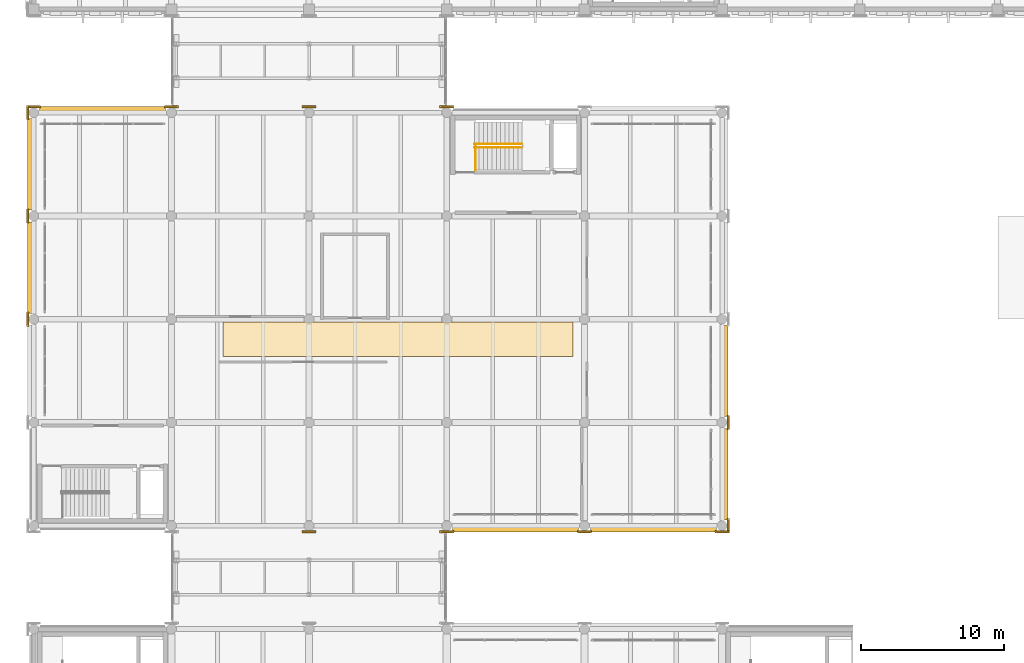
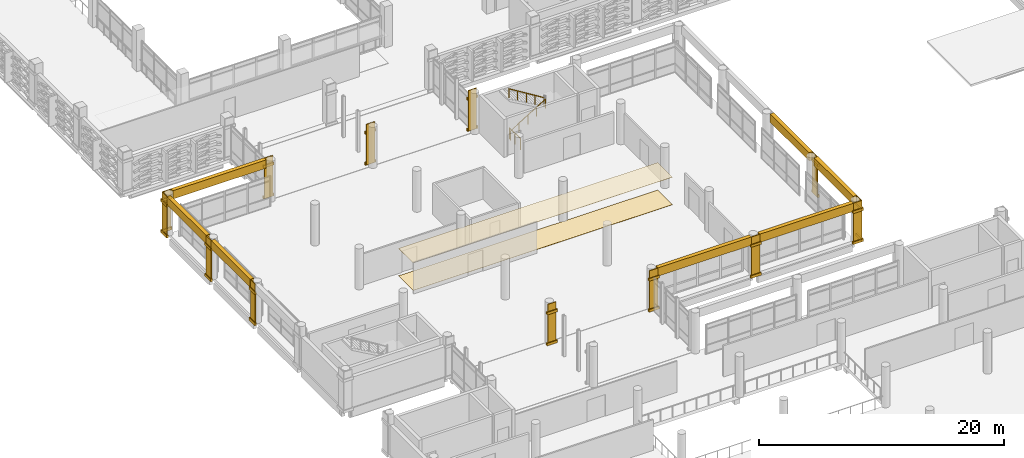
# One storey, part 163 of 180: 48 coverings, 3 railings.
"""IFC4 building model written with IfcOpenShell, lengths in metres."""

from ifc_helpers import new_model, si_unit, direction, frame, origin, origin_2d, place, context, subcontext, project, spatial, polyline, rectangle, circle, outline, extrude, material, layer, layer_set, type_object, element, save


model = new_model("IFC4")

# Units and contexts
model_context = context("Model", 3, precision=1e-05, world=origin(), true_north=direction((0.0, 1.0)))
body_context = subcontext(model_context, "Body", "Model", "MODEL_VIEW")
ifc_project = project(units=[si_unit("LENGTHUNIT", "METRE"), si_unit("AREAUNIT", "SQUARE_METRE"), si_unit("VOLUMEUNIT", "CUBIC_METRE"), si_unit("PLANEANGLEUNIT", "RADIAN"), si_unit("MASSUNIT", "GRAM", prefix="KILO")], contexts=[model_context])

# Site, building, storey
site_placement = place(None, origin())
site = spatial("IfcSite", under=ifc_project, at=site_placement, CompositionType="ELEMENT")
building_placement = place(site_placement, origin())
building = spatial("IfcBuilding", under=site, at=building_placement, Name="Asteropetra Specialist Clinic", CompositionType="ELEMENT")
storey_placement = place(building_placement, frame((0.0, 0.0, 4.419921875)))
storey = spatial("IfcBuildingStorey", under=building, at=storey_placement, Name="L01", CompositionType="ELEMENT", Elevation=4.419921875)

# Coverings
ifc_material_1 = material(Name="Hygienic acoustic ceiling tile")
ifc_layer_1 = layer(ifc_material_1, 0.02490234375)
ifc_layer_set_1 = layer_set([ifc_layer_1], Name="Hygienic acoustic ceiling tile")
covering_type_1 = type_object("IfcCoveringType", Name="CLG-ACOUSTIC", PredefinedType="CEILING", material=ifc_layer_set_1)
covering_1_placement = place(storey_placement, frame((0.0, 0.0, 2.72998046875)))
element("IfcCovering", 1, at=covering_1_placement, inside=storey, type_object=covering_type_1, Name="Acoustic Ceiling CLG-L01-V5", PredefinedType="CEILING", context=body_context, shape_type="SweptSolid", body=[
    extrude(outline(polyline([(13.199951171875, 45.39990234375), (37.60009765625, 45.39990234375), (37.60009765625, 47.800048828125), (13.199951171875, 47.800048828125), (13.199951171875, 45.39990234375)])), origin(), (0.0, 0.0, 1.0), 0.025146484375),
])
ifc_material_2 = material(Name="Pentelic marble ashlar", Category="masonry")
ifc_layer_2 = layer(ifc_material_2, 0.159912109375)
ifc_layer_set_2 = layer_set([ifc_layer_2], Name="Pentelic marble ashlar")
covering_type_2 = type_object("IfcCoveringType", Name="CRN-ENTAB-600", PredefinedType="MOLDING", material=ifc_layer_set_2)
for number, where, z_axis, x_axis, name in (
    (2, (4.800048828125, 62.639892578125, 3.25), (0.0, 0.0, 1.0), (1.0, 0.0, 0.0), "Stoa Classical Entablature SE-0035"),
    (3, (33.60009765625, 33.360107421875, 3.25), (0.0, 0.0, 1.0), (1.0, 0.0, 0.0), "Stoa Classical Entablature SE-0036"),
    (4, (43.199951171875, 33.360107421875, 3.25), (0.0, 0.0, 1.0), (1.0, 0.0, 0.0), "Stoa Classical Entablature SE-0037"),
):
    element("IfcCovering", number, at=place(storey_placement, frame(where, z_axis=z_axis, x_axis=x_axis)), inside=storey, type_object=covering_type_2, Name=name, PredefinedType="MOLDING", context=body_context, shape_type="SweptSolid", body=[
        extrude(rectangle(XDim=8.780029296875, YDim=0.360107421875, at=origin_2d()), origin(), (0.0, 0.0, 1.0), 0.820068359375),
    ])
for number, where, z_axis, x_axis, name in (
    (5, (48.239990234375, 37.199951171875, 3.25), (0.0, 0.0, 1.0), (1.0, 0.0, 0.0), "Stoa Classical Entablature SE-0039"),
    (6, (48.239990234375, 44.39990234375, 3.25), (0.0, 0.0, 1.0), (1.0, 0.0, 0.0), "Stoa Classical Entablature SE-0041"),
    (7, (-0.239990234375, 51.60009765625, 3.25), (0.0, 0.0, 1.0), (1.0, 0.0, 0.0), "Stoa Classical Entablature SE-0042"),
    (8, (-0.239990234375, 58.800048828125, 3.25), (0.0, 0.0, 1.0), (1.0, 0.0, 0.0), "Stoa Classical Entablature SE-0044"),
):
    element("IfcCovering", number, at=place(storey_placement, frame(where, z_axis=z_axis, x_axis=x_axis)), inside=storey, type_object=covering_type_2, Name=name, PredefinedType="MOLDING", context=body_context, shape_type="SweptSolid", body=[
        extrude(rectangle(XDim=0.360107421875, YDim=6.3798828125, at=origin_2d()), origin(), (0.0, 0.0, 1.0), 0.820068359375),
    ])
covering_2_placement = place(storey_placement, frame((-0.382080078125, 48.0, 0.02001953125), z_axis=(0.0, 0.0, 1.0), x_axis=(1.0, 0.0, 0.0)))
element("IfcCovering", 9, at=covering_2_placement, inside=storey, type_object=covering_type_2, Name="Neoclassical Pilaster Facing CM-0820", PredefinedType="MOLDING", context=body_context, shape_type="SweptSolid", body=[
    extrude(rectangle(XDim=0.080078125, YDim=0.780029296875, at=origin_2d()), origin(), (0.0, 0.0, 1.0), 4.0400390625),
])
for number, where, z_axis, x_axis, name in (
    (10, (-0.422119140625, 48.0, 0.01025390625), (0.0, 0.0, 1.0), (1.0, 0.0, 0.0), "Doric Base CC-0821"),
    (11, (-0.422119140625, 48.0, 3.08984375), (0.0, 0.0, 1.0), (1.0, 0.0, 0.0), "Doric Capital CC-0822"),
):
    element("IfcCovering", number, at=place(storey_placement, frame(where, z_axis=z_axis, x_axis=x_axis)), inside=storey, type_object=covering_type_2, Name=name, PredefinedType="MOLDING", context=body_context, shape_type="SweptSolid", body=[
        extrude(rectangle(XDim=0.159912109375, YDim=0.97998046875, at=origin_2d()), origin(), (0.0, 0.0, 1.0), 0.260009765625),
    ])
covering_3_placement = place(storey_placement, frame((-0.382080078125, 55.199951171875, 0.02001953125), z_axis=(0.0, 0.0, 1.0), x_axis=(1.0, 0.0, 0.0)))
element("IfcCovering", 12, at=covering_3_placement, inside=storey, type_object=covering_type_2, Name="Neoclassical Pilaster Facing CM-0823", PredefinedType="MOLDING", context=body_context, shape_type="SweptSolid", body=[
    extrude(rectangle(XDim=0.080078125, YDim=0.780029296875, at=origin_2d()), origin(), (0.0, 0.0, 1.0), 4.0400390625),
])
for number, where, z_axis, x_axis, name in (
    (13, (-0.422119140625, 55.199951171875, 0.01025390625), (0.0, 0.0, 1.0), (1.0, 0.0, 0.0), "Doric Base CC-0824"),
    (14, (-0.422119140625, 55.199951171875, 3.08984375), (0.0, 0.0, 1.0), (1.0, 0.0, 0.0), "Doric Capital CC-0825"),
):
    element("IfcCovering", number, at=place(storey_placement, frame(where, z_axis=z_axis, x_axis=x_axis)), inside=storey, type_object=covering_type_2, Name=name, PredefinedType="MOLDING", context=body_context, shape_type="SweptSolid", body=[
        extrude(rectangle(XDim=0.159912109375, YDim=0.97998046875, at=origin_2d()), origin(), (0.0, 0.0, 1.0), 0.260009765625),
    ])
covering_4_placement = place(storey_placement, frame((0.0, 62.781982421875, 0.02001953125), z_axis=(0.0, 0.0, 1.0), x_axis=(1.0, 0.0, 0.0)))
element("IfcCovering", 15, at=covering_4_placement, inside=storey, type_object=covering_type_2, Name="Neoclassical Pilaster Facing CM-0826", PredefinedType="MOLDING", context=body_context, shape_type="SweptSolid", body=[
    extrude(rectangle(XDim=0.780029296875, YDim=0.080078125, at=origin_2d()), origin(), (0.0, 0.0, 1.0), 4.0400390625),
])
for number, where, z_axis, x_axis, name in (
    (16, (0.0, 62.822021484375, 0.01025390625), (0.0, 0.0, 1.0), (1.0, 0.0, 0.0), "Doric Base CC-0827"),
    (17, (0.0, 62.822021484375, 3.08984375), (0.0, 0.0, 1.0), (1.0, 0.0, 0.0), "Doric Capital CC-0828"),
):
    element("IfcCovering", number, at=place(storey_placement, frame(where, z_axis=z_axis, x_axis=x_axis)), inside=storey, type_object=covering_type_2, Name=name, PredefinedType="MOLDING", context=body_context, shape_type="SweptSolid", body=[
        extrude(rectangle(XDim=0.97998046875, YDim=0.159912109375, at=origin_2d()), origin(), (0.0, 0.0, 1.0), 0.260009765625),
    ])
covering_5_placement = place(storey_placement, frame((-0.382080078125, 62.39990234375, 0.02001953125), z_axis=(0.0, 0.0, 1.0), x_axis=(1.0, 0.0, 0.0)))
element("IfcCovering", 18, at=covering_5_placement, inside=storey, type_object=covering_type_2, Name="Neoclassical Pilaster Facing CM-0829", PredefinedType="MOLDING", context=body_context, shape_type="SweptSolid", body=[
    extrude(rectangle(XDim=0.080078125, YDim=0.780029296875, at=origin_2d()), origin(), (0.0, 0.0, 1.0), 4.0400390625),
])
for number, where, z_axis, x_axis, name in (
    (19, (-0.422119140625, 62.39990234375, 0.01025390625), (0.0, 0.0, 1.0), (1.0, 0.0, 0.0), "Doric Base CC-0830"),
    (20, (-0.422119140625, 62.39990234375, 3.08984375), (0.0, 0.0, 1.0), (1.0, 0.0, 0.0), "Doric Capital CC-0831"),
):
    element("IfcCovering", number, at=place(storey_placement, frame(where, z_axis=z_axis, x_axis=x_axis)), inside=storey, type_object=covering_type_2, Name=name, PredefinedType="MOLDING", context=body_context, shape_type="SweptSolid", body=[
        extrude(rectangle(XDim=0.159912109375, YDim=0.97998046875, at=origin_2d()), origin(), (0.0, 0.0, 1.0), 0.260009765625),
    ])
covering_6_placement = place(storey_placement, frame((9.60009765625, 62.781982421875, 0.02001953125), z_axis=(0.0, 0.0, 1.0), x_axis=(1.0, 0.0, 0.0)))
element("IfcCovering", 21, at=covering_6_placement, inside=storey, type_object=covering_type_2, Name="Neoclassical Pilaster Facing CM-0835", PredefinedType="MOLDING", context=body_context, shape_type="SweptSolid", body=[
    extrude(rectangle(XDim=0.780029296875, YDim=0.080078125, at=origin_2d()), origin(), (0.0, 0.0, 1.0), 4.0400390625),
])
for number, where, z_axis, x_axis, name in (
    (22, (9.60009765625, 62.822021484375, 0.01025390625), (0.0, 0.0, 1.0), (1.0, 0.0, 0.0), "Doric Base CC-0836"),
    (23, (9.60009765625, 62.822021484375, 3.08984375), (0.0, 0.0, 1.0), (1.0, 0.0, 0.0), "Doric Capital CC-0837"),
):
    element("IfcCovering", number, at=place(storey_placement, frame(where, z_axis=z_axis, x_axis=x_axis)), inside=storey, type_object=covering_type_2, Name=name, PredefinedType="MOLDING", context=body_context, shape_type="SweptSolid", body=[
        extrude(rectangle(XDim=0.97998046875, YDim=0.159912109375, at=origin_2d()), origin(), (0.0, 0.0, 1.0), 0.260009765625),
    ])
covering_7_placement = place(storey_placement, frame((19.199951171875, 33.218017578125, 0.02001953125), z_axis=(0.0, 0.0, 1.0), x_axis=(1.0, 0.0, 0.0)))
element("IfcCovering", 24, at=covering_7_placement, inside=storey, type_object=covering_type_2, Name="Neoclassical Pilaster Facing CM-0838", PredefinedType="MOLDING", context=body_context, shape_type="SweptSolid", body=[
    extrude(rectangle(XDim=0.780029296875, YDim=0.080078125, at=origin_2d()), origin(), (0.0, 0.0, 1.0), 4.0400390625),
])
for number, where, z_axis, x_axis, name in (
    (25, (19.199951171875, 33.177978515625, 0.01025390625), (0.0, 0.0, 1.0), (1.0, 0.0, 0.0), "Doric Base CC-0839"),
    (26, (19.199951171875, 33.177978515625, 3.08984375), (0.0, 0.0, 1.0), (1.0, 0.0, 0.0), "Doric Capital CC-0840"),
):
    element("IfcCovering", number, at=place(storey_placement, frame(where, z_axis=z_axis, x_axis=x_axis)), inside=storey, type_object=covering_type_2, Name=name, PredefinedType="MOLDING", context=body_context, shape_type="SweptSolid", body=[
        extrude(rectangle(XDim=0.97998046875, YDim=0.159912109375, at=origin_2d()), origin(), (0.0, 0.0, 1.0), 0.260009765625),
    ])
covering_8_placement = place(storey_placement, frame((19.199951171875, 62.781982421875, 0.02001953125), z_axis=(0.0, 0.0, 1.0), x_axis=(1.0, 0.0, 0.0)))
element("IfcCovering", 27, at=covering_8_placement, inside=storey, type_object=covering_type_2, Name="Neoclassical Pilaster Facing CM-0841", PredefinedType="MOLDING", context=body_context, shape_type="SweptSolid", body=[
    extrude(rectangle(XDim=0.780029296875, YDim=0.080078125, at=origin_2d()), origin(), (0.0, 0.0, 1.0), 4.0400390625),
])
for number, where, z_axis, x_axis, name in (
    (28, (19.199951171875, 62.822021484375, 0.01025390625), (0.0, 0.0, 1.0), (1.0, 0.0, 0.0), "Doric Base CC-0842"),
    (29, (19.199951171875, 62.822021484375, 3.08984375), (0.0, 0.0, 1.0), (1.0, 0.0, 0.0), "Doric Capital CC-0843"),
):
    element("IfcCovering", number, at=place(storey_placement, frame(where, z_axis=z_axis, x_axis=x_axis)), inside=storey, type_object=covering_type_2, Name=name, PredefinedType="MOLDING", context=body_context, shape_type="SweptSolid", body=[
        extrude(rectangle(XDim=0.97998046875, YDim=0.159912109375, at=origin_2d()), origin(), (0.0, 0.0, 1.0), 0.260009765625),
    ])
covering_9_placement = place(storey_placement, frame((28.800048828125, 33.218017578125, 0.02001953125), z_axis=(0.0, 0.0, 1.0), x_axis=(1.0, 0.0, 0.0)))
element("IfcCovering", 30, at=covering_9_placement, inside=storey, type_object=covering_type_2, Name="Neoclassical Pilaster Facing CM-0844", PredefinedType="MOLDING", context=body_context, shape_type="SweptSolid", body=[
    extrude(rectangle(XDim=0.780029296875, YDim=0.080078125, at=origin_2d()), origin(), (0.0, 0.0, 1.0), 4.0400390625),
])
for number, where, z_axis, x_axis, name in (
    (31, (28.800048828125, 33.177978515625, 0.01025390625), (0.0, 0.0, 1.0), (1.0, 0.0, 0.0), "Doric Base CC-0845"),
    (32, (28.800048828125, 33.177978515625, 3.08984375), (0.0, 0.0, 1.0), (1.0, 0.0, 0.0), "Doric Capital CC-0846"),
):
    element("IfcCovering", number, at=place(storey_placement, frame(where, z_axis=z_axis, x_axis=x_axis)), inside=storey, type_object=covering_type_2, Name=name, PredefinedType="MOLDING", context=body_context, shape_type="SweptSolid", body=[
        extrude(rectangle(XDim=0.97998046875, YDim=0.159912109375, at=origin_2d()), origin(), (0.0, 0.0, 1.0), 0.260009765625),
    ])
covering_10_placement = place(storey_placement, frame((28.800048828125, 62.781982421875, 0.02001953125), z_axis=(0.0, 0.0, 1.0), x_axis=(1.0, 0.0, 0.0)))
element("IfcCovering", 33, at=covering_10_placement, inside=storey, type_object=covering_type_2, Name="Neoclassical Pilaster Facing CM-0847", PredefinedType="MOLDING", context=body_context, shape_type="SweptSolid", body=[
    extrude(rectangle(XDim=0.780029296875, YDim=0.080078125, at=origin_2d()), origin(), (0.0, 0.0, 1.0), 4.0400390625),
])
for number, where, z_axis, x_axis, name in (
    (34, (28.800048828125, 62.822021484375, 0.01025390625), (0.0, 0.0, 1.0), (1.0, 0.0, 0.0), "Doric Base CC-0848"),
    (35, (28.800048828125, 62.822021484375, 3.08984375), (0.0, 0.0, 1.0), (1.0, 0.0, 0.0), "Doric Capital CC-0849"),
):
    element("IfcCovering", number, at=place(storey_placement, frame(where, z_axis=z_axis, x_axis=x_axis)), inside=storey, type_object=covering_type_2, Name=name, PredefinedType="MOLDING", context=body_context, shape_type="SweptSolid", body=[
        extrude(rectangle(XDim=0.97998046875, YDim=0.159912109375, at=origin_2d()), origin(), (0.0, 0.0, 1.0), 0.260009765625),
    ])
covering_11_placement = place(storey_placement, frame((38.39990234375, 33.218017578125, 0.02001953125), z_axis=(0.0, 0.0, 1.0), x_axis=(1.0, 0.0, 0.0)))
element("IfcCovering", 36, at=covering_11_placement, inside=storey, type_object=covering_type_2, Name="Neoclassical Pilaster Facing CM-0850", PredefinedType="MOLDING", context=body_context, shape_type="SweptSolid", body=[
    extrude(rectangle(XDim=0.780029296875, YDim=0.080078125, at=origin_2d()), origin(), (0.0, 0.0, 1.0), 4.0400390625),
])
for number, where, z_axis, x_axis, name in (
    (37, (38.39990234375, 33.177978515625, 0.01025390625), (0.0, 0.0, 1.0), (1.0, 0.0, 0.0), "Doric Base CC-0851"),
    (38, (38.39990234375, 33.177978515625, 3.08984375), (0.0, 0.0, 1.0), (1.0, 0.0, 0.0), "Doric Capital CC-0852"),
):
    element("IfcCovering", number, at=place(storey_placement, frame(where, z_axis=z_axis, x_axis=x_axis)), inside=storey, type_object=covering_type_2, Name=name, PredefinedType="MOLDING", context=body_context, shape_type="SweptSolid", body=[
        extrude(rectangle(XDim=0.97998046875, YDim=0.159912109375, at=origin_2d()), origin(), (0.0, 0.0, 1.0), 0.260009765625),
    ])
covering_12_placement = place(storey_placement, frame((48.0, 33.218017578125, 0.02001953125), z_axis=(0.0, 0.0, 1.0), x_axis=(1.0, 0.0, 0.0)))
element("IfcCovering", 39, at=covering_12_placement, inside=storey, type_object=covering_type_2, Name="Neoclassical Pilaster Facing CM-0856", PredefinedType="MOLDING", context=body_context, shape_type="SweptSolid", body=[
    extrude(rectangle(XDim=0.780029296875, YDim=0.080078125, at=origin_2d()), origin(), (0.0, 0.0, 1.0), 4.0400390625),
])
for number, where, z_axis, x_axis, name in (
    (40, (48.0, 33.177978515625, 0.01025390625), (0.0, 0.0, 1.0), (1.0, 0.0, 0.0), "Doric Base CC-0857"),
    (41, (48.0, 33.177978515625, 3.08984375), (0.0, 0.0, 1.0), (1.0, 0.0, 0.0), "Doric Capital CC-0858"),
):
    element("IfcCovering", number, at=place(storey_placement, frame(where, z_axis=z_axis, x_axis=x_axis)), inside=storey, type_object=covering_type_2, Name=name, PredefinedType="MOLDING", context=body_context, shape_type="SweptSolid", body=[
        extrude(rectangle(XDim=0.97998046875, YDim=0.159912109375, at=origin_2d()), origin(), (0.0, 0.0, 1.0), 0.260009765625),
    ])
covering_13_placement = place(storey_placement, frame((48.382080078125, 33.60009765625, 0.02001953125), z_axis=(0.0, 0.0, 1.0), x_axis=(1.0, 0.0, 0.0)))
element("IfcCovering", 42, at=covering_13_placement, inside=storey, type_object=covering_type_2, Name="Neoclassical Pilaster Facing CM-0859", PredefinedType="MOLDING", context=body_context, shape_type="SweptSolid", body=[
    extrude(rectangle(XDim=0.080078125, YDim=0.780029296875, at=origin_2d()), origin(), (0.0, 0.0, 1.0), 4.0400390625),
])
for number, where, z_axis, x_axis, name in (
    (43, (48.422119140625, 33.60009765625, 0.01025390625), (0.0, 0.0, 1.0), (1.0, 0.0, 0.0), "Doric Base CC-0860"),
    (44, (48.422119140625, 33.60009765625, 3.08984375), (0.0, 0.0, 1.0), (1.0, 0.0, 0.0), "Doric Capital CC-0861"),
):
    element("IfcCovering", number, at=place(storey_placement, frame(where, z_axis=z_axis, x_axis=x_axis)), inside=storey, type_object=covering_type_2, Name=name, PredefinedType="MOLDING", context=body_context, shape_type="SweptSolid", body=[
        extrude(rectangle(XDim=0.159912109375, YDim=0.97998046875, at=origin_2d()), origin(), (0.0, 0.0, 1.0), 0.260009765625),
    ])
covering_14_placement = place(storey_placement, frame((48.382080078125, 40.800048828125, 0.02001953125), z_axis=(0.0, 0.0, 1.0), x_axis=(1.0, 0.0, 0.0)))
element("IfcCovering", 45, at=covering_14_placement, inside=storey, type_object=covering_type_2, Name="Neoclassical Pilaster Facing CM-0862", PredefinedType="MOLDING", context=body_context, shape_type="SweptSolid", body=[
    extrude(rectangle(XDim=0.080078125, YDim=0.780029296875, at=origin_2d()), origin(), (0.0, 0.0, 1.0), 4.0400390625),
])
for number, where, z_axis, x_axis, name in (
    (46, (48.422119140625, 40.800048828125, 0.01025390625), (0.0, 0.0, 1.0), (1.0, 0.0, 0.0), "Doric Base CC-0863"),
    (47, (48.422119140625, 40.800048828125, 3.08984375), (0.0, 0.0, 1.0), (1.0, 0.0, 0.0), "Doric Capital CC-0864"),
):
    element("IfcCovering", number, at=place(storey_placement, frame(where, z_axis=z_axis, x_axis=x_axis)), inside=storey, type_object=covering_type_2, Name=name, PredefinedType="MOLDING", context=body_context, shape_type="SweptSolid", body=[
        extrude(rectangle(XDim=0.159912109375, YDim=0.97998046875, at=origin_2d()), origin(), (0.0, 0.0, 1.0), 0.260009765625),
    ])
ifc_material_3 = material(Name="Attic marble terrazzo flooring", Category="masonry")
ifc_layer_3 = layer(ifc_material_3, 0.02001953125)
ifc_layer_set_3 = layer_set([ifc_layer_3], Name="Attic marble terrazzo flooring")
covering_type_3 = type_object("IfcCoveringType", Name="FLR-TERRAZZO", PredefinedType="FLOORING", material=ifc_layer_set_3)
covering_15_placement = place(storey_placement, origin())
element("IfcCovering", 48, at=covering_15_placement, inside=storey, type_object=covering_type_3, Name="Terrazzo Flooring CLG-L01-V5", PredefinedType="FLOORING", context=body_context, shape_type="SweptSolid", body=[
    extrude(outline(polyline([(13.199951171875, 45.39990234375), (37.60009765625, 45.39990234375), (37.60009765625, 47.800048828125), (13.199951171875, 47.800048828125), (13.199951171875, 45.39990234375)])), origin(), (0.0, 0.0, 1.0), 0.02001953125),
])

# Railings
ifc_material_4 = material(Name="Steel S355 and laminated glass guard", Category="steel")
railing_type_1 = type_object("IfcRailingType", Name="GRD-INT-1120", PredefinedType="GUARDRAIL", material=ifc_material_4)
railing_1_placement = place(storey_placement, frame((30.800048828125, 58.3798828125, 0.0)))
element("IfcRailing", 49, at=railing_1_placement, inside=storey, type_object=railing_type_1, Name="Stair Well Guard ST05-L00", PredefinedType="GUARDRAIL", context=body_context, shape_type="SweptSolid", body=[
    extrude(circle(Radius=0.02392578125, at=origin_2d()), frame((0.0, 0.0, 1.09619140625), z_axis=(0.0, 1.0, 0.0), x_axis=(-1.0, 0.0, 0.0)), (0.0, 0.0, 1.0), 1.780029296875),
    extrude(circle(Radius=0.02099609375, at=origin_2d()), origin(), (0.0, 0.0, 1.0), 1.072021484375),
    extrude(circle(Radius=0.02099609375, at=origin_2d()), frame((0.0, 0.89013671875, 0.0)), (0.0, 0.0, 1.0), 1.072021484375),
    extrude(circle(Radius=0.02099609375, at=origin_2d()), frame((0.0, 1.780029296875, 0.0)), (0.0, 0.0, 1.0), 1.072021484375),
])
ifc_material_5 = material(Name="Brushed stainless steel handrail", Category="steel")
railing_type_2 = type_object("IfcRailingType", Name="HRL-STAIR-920", PredefinedType="HANDRAIL", material=ifc_material_5)
railing_2_placement = place(storey_placement, frame((30.75, 59.969970703125, 0.0)))
element("IfcRailing", 50, at=railing_2_placement, inside=storey, type_object=railing_type_2, Name="Stair Handrail ST05-L01 F1", PredefinedType="HANDRAIL", context=body_context, shape_type="SweptSolid", body=[
    extrude(circle(Radius=0.02392578125, at=origin_2d()), frame((0.0, 0.0, 0.89599609375), z_axis=(0.850593546085, 0.0, 0.525823753132), x_axis=(0.0, 1.0, 0.0)), (0.0, 0.0, 1.0), 3.879638671875),
    extrude(circle(Radius=0.02099609375, at=origin_2d()), origin(), (0.0, 0.0, 1.0), 0.871826171875),
    extrude(circle(Radius=0.02099609375, at=origin_2d()), frame((0.824951171875, 0.0, 0.510009765625)), (0.0, 0.0, 1.0), 0.871826171875),
    extrude(circle(Radius=0.02099609375, at=origin_2d()), frame((1.64990234375, 0.0, 1.02001953125)), (0.0, 0.0, 1.0), 0.871826171875),
    extrude(circle(Radius=0.02099609375, at=origin_2d()), frame((2.47509765625, 0.0, 1.530029296875)), (0.0, 0.0, 1.0), 0.871826171875),
    extrude(circle(Radius=0.02099609375, at=origin_2d()), frame((3.300048828125, 0.0, 2.0400390625)), (0.0, 0.0, 1.0), 0.871826171875),
])
railing_3_placement = place(storey_placement, frame((34.050048828125, 60.2099609375, 2.0400390625)))
element("IfcRailing", 51, at=railing_3_placement, inside=storey, type_object=railing_type_2, Name="Stair Handrail ST05-L01 F2", PredefinedType="HANDRAIL", context=body_context, shape_type="SweptSolid", body=[
    extrude(circle(Radius=0.02392578125, at=origin_2d()), frame((0.0, 0.0, 0.89599609375), z_axis=(-0.850593546085, 0.0, 0.525823753132), x_axis=(0.0, -1.0, 0.0)), (0.0, 0.0, 1.0), 3.879638671875),
    extrude(circle(Radius=0.02099609375, at=origin_2d()), origin(), (0.0, 0.0, 1.0), 0.871826171875),
    extrude(circle(Radius=0.02099609375, at=origin_2d()), frame((-0.824951171875, 0.0, 0.510009765625)), (0.0, 0.0, 1.0), 0.871826171875),
    extrude(circle(Radius=0.02099609375, at=origin_2d()), frame((-1.64990234375, 0.0, 1.02001953125)), (0.0, 0.0, 1.0), 0.871826171875),
    extrude(circle(Radius=0.02099609375, at=origin_2d()), frame((-2.47509765625, 0.0, 1.530029296875)), (0.0, 0.0, 1.0), 0.871826171875),
    extrude(circle(Radius=0.02099609375, at=origin_2d()), frame((-3.300048828125, 0.0, 2.0400390625)), (0.0, 0.0, 1.0), 0.871826171875),
])

save(model, "model.ifc")
